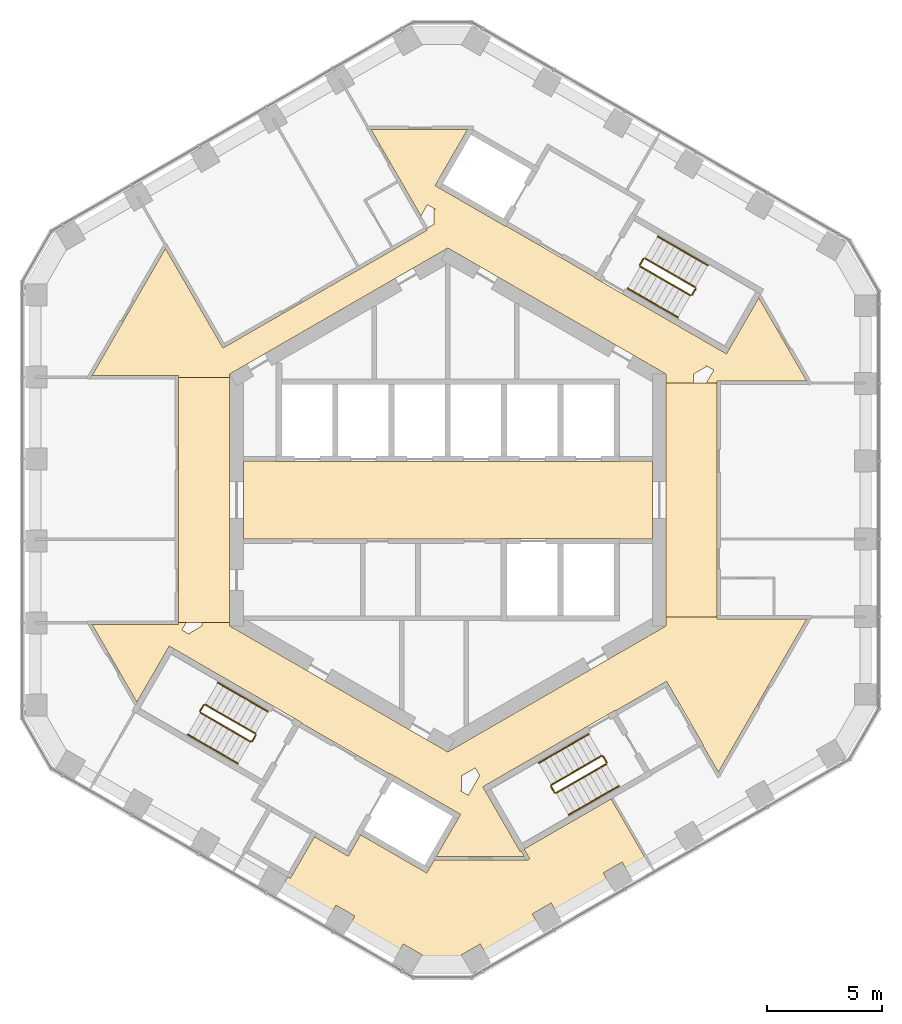
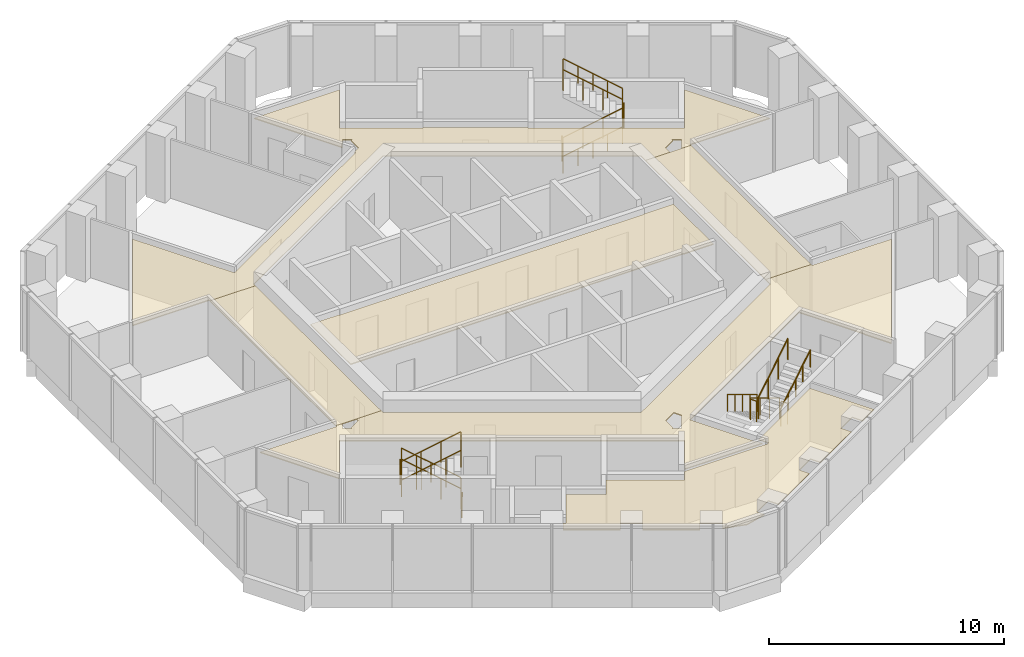
# One storey, part 18 of 18: 24 railings, 6 coverings.
"""IFC4 building model written with IfcOpenShell, lengths in metres."""

from ifc_helpers import new_model, si_unit, direction, frame, origin, origin_2d, place, context, subcontext, project, spatial, polyline, circle, outline, extrude, material, layer, layer_set, type_object, element, save


model = new_model("IFC4")

# Units and contexts
model_context = context("Model", 3, precision=1e-05, world=origin(), true_north=direction((0.0, 1.0)))
body_context = subcontext(model_context, "Body", "Model", "MODEL_VIEW")
ifc_project = project(units=[si_unit("LENGTHUNIT", "METRE"), si_unit("AREAUNIT", "SQUARE_METRE"), si_unit("VOLUMEUNIT", "CUBIC_METRE"), si_unit("PLANEANGLEUNIT", "RADIAN"), si_unit("MASSUNIT", "GRAM", prefix="KILO")], contexts=[model_context])

# Site, building, storey
site_placement = place(None, origin())
site = spatial("IfcSite", under=ifc_project, at=site_placement, CompositionType="ELEMENT")
building_placement = place(site_placement, origin())
building = spatial("IfcBuilding", under=site, at=building_placement, Name="Ayvan Gate Tower", CompositionType="ELEMENT")
storey_placement = place(building_placement, frame((0.0, 0.0, 166.300048828125)))
storey = spatial("IfcBuildingStorey", under=building, at=storey_placement, Name="L44", CompositionType="ELEMENT", Elevation=166.300048828125)

# Coverings
ifc_material_1 = material(Name="Plasterboard suspended ceiling")
ifc_layer = layer(ifc_material_1, 0.050048828125)
ifc_layer_set = layer_set([ifc_layer], Name="Plasterboard suspended ceiling")
covering_type = type_object("IfcCoveringType", Name="CT-SUSP-50", PredefinedType="CEILING", material=ifc_layer_set)
covering_1_placement = place(storey_placement, frame((0.0, 0.0, 2.699951171875)))
element("IfcCovering", 1, at=covering_1_placement, inside=storey, type_object=covering_type, Name="Ceiling Lift Lobby L44", PredefinedType="CEILING", context=body_context, shape_type="SweptSolid", body=[
    extrude(outline(polyline([(7.47509765625, -1.675048828125), (2.324951171875, -1.675048828125), (2.324951171875, -1.699951171875), (-8.89990234375, -1.699951171875), (-8.89990234375, 1.699951171875), (-7.47509765625, 1.699951171875), (-7.47509765625, 1.675048828125), (7.47509765625, 1.675048828125), (7.47509765625, 1.699951171875), (8.89990234375, 1.699951171875), (8.89990234375, -1.699951171875), (7.47509765625, -1.699951171875), (7.47509765625, -1.675048828125)])), origin(), (0.0, 0.0, 1.0), 0.050048828125),
])
covering_2_placement = place(storey_placement, frame((0.0, 0.0, 2.699951171875)))
element("IfcCovering", 2, at=covering_2_placement, inside=storey, type_object=covering_type, Name="Ceiling Gallery L44", PredefinedType="CEILING", context=body_context, shape_type="SweptSolid", body=[
    extrude(outline(polyline([(-11.914794921875, -6.48681640625), (-12.131103515625, -6.36181640625), (-13.5380859375, -8.798828125), (-15.489990234375, -5.41796875), (-11.724853515625, -5.41796875), (-11.724853515625, -5.343017578125), (-11.398681640625, -5.343017578125), (-11.580322265625, -5.65771484375), (-11.2294921875, -5.8603515625), (-11.259765625, -5.80810546875), (-10.699951171875, -5.48486328125), (-10.699951171875, -5.343017578125), (-9.5, -5.343017578125), (-9.5, -5.48486328125), (0.0, -10.9697265625), (8.38720703125, -6.127197265625), (9.5, -5.48486328125), (9.5, -5.09619140625), (11.724853515625, -5.09619140625), (11.724853515625, -5.17138671875), (15.632568359375, -5.17138671875), (11.77734375, -11.848876953125), (11.102294921875, -10.6796875), (11.123779296875, -10.667236328125), (9.623779296875, -8.069091796875), (9.52392578125, -7.89599609375), (7.2939453125, -9.183349609375), (7.281494140625, -9.16162109375), (1.522216796875, -12.48681640625), (1.647216796875, -12.703369140625), (3.147216796875, -15.30126953125), (3.190673828125, -15.2763671875), (3.33349609375, -15.523681640625), (-0.50439453125, -15.523681640625), (0.43115234375, -13.9033203125), (0.55615234375, -13.686767578125), (-2.284423828125, -12.046630859375), (-2.518310546875, -11.91162109375), (-2.53076171875, -11.933349609375), (-6.384521484375, -9.70849609375), (-6.3720703125, -9.686767578125), (-11.91455078125, -6.48681640625), (-11.914794921875, -6.48681640625)]), holes=[polyline([(0.890380859375, -12.85791015625), (1.385498046875, -12.0), (1.193115234375, -11.66650390625), (0.60009765625, -12.0087890625), (0.60009765625, -12.6552734375), (0.53955078125, -12.6552734375), (0.890380859375, -12.85791015625)])]), origin(), (0.0, 0.0, 1.0), 0.050048828125),
])
covering_3_placement = place(storey_placement, frame((0.0, 0.0, 2.699951171875)))
element("IfcCovering", 3, at=covering_3_placement, inside=storey, type_object=covering_type, Name="Ceiling Gallery L44", PredefinedType="CEILING", context=body_context, shape_type="SweptSolid", body=[
    extrude(outline(polyline([(-9.6611328125, 6.69091796875), (-9.6611328125, 6.69091796875), (-0.89892578125, 11.749755859375), (-0.936279296875, 11.814697265625), (-0.60009765625, 12.0087890625), (-0.60009765625, 12.6552734375), (-0.53955078125, 12.6552734375), (-0.890380859375, 12.85791015625), (-1.17138671875, 12.371337890625), (-3.337890625, 16.123779296875), (0.850830078125, 16.123779296875), (-0.55615234375, 13.686767578125), (-0.339599609375, 13.561767578125), (2.518310546875, 11.91162109375), (2.53076171875, 11.933349609375), (6.384521484375, 9.70849609375), (6.3720703125, 9.686767578125), (6.588623046875, 9.561767578125), (12.131103515625, 6.36181640625), (12.24609375, 6.56103515625), (13.5380859375, 8.798828125), (15.632568359375, 5.17138671875), (11.72509765625, 5.17138671875), (11.72509765625, 5.09619140625), (11.256103515625, 5.09619140625), (11.580322265625, 5.65771484375), (11.2294921875, 5.8603515625), (11.259765625, 5.80810546875), (10.699951171875, 5.48486328125), (10.699951171875, 5.09619140625), (9.5, 5.09619140625), (9.5, 5.48486328125), (0.0, 10.9697265625), (-9.16357421875, 5.67919921875), (-9.5, 5.48486328125), (-9.5, 5.343017578125), (-11.72509765625, 5.343017578125), (-11.72509765625, 5.41796875), (-15.489990234375, 5.41796875), (-12.294921875, 10.952392578125), (-9.791015625, 6.615966796875), (-9.6611328125, 6.69091796875)])), origin(), (0.0, 0.0, 1.0), 0.050048828125),
])
covering_4_placement = place(storey_placement, frame((0.0, 0.0, 2.699951171875)))
element("IfcCovering", 4, at=covering_4_placement, inside=storey, type_object=covering_type, Name="Ceiling Lift Lounge Lobby L44", PredefinedType="CEILING", context=body_context, shape_type="SweptSolid", body=[
    extrude(outline(polyline([(11.724853515625, -5.09619140625), (9.5, -5.09619140625), (9.5, 5.09619140625), (11.72509765625, 5.09619140625), (11.72509765625, -5.021240234375), (11.724853515625, -5.021240234375), (11.724853515625, -5.09619140625)])), origin(), (0.0, 0.0, 1.0), 0.050048828125),
])
covering_5_placement = place(storey_placement, frame((0.0, 0.0, 2.699951171875)))
element("IfcCovering", 5, at=covering_5_placement, inside=storey, type_object=covering_type, Name="Ceiling Lift Lounge Lobby L44", PredefinedType="CEILING", context=body_context, shape_type="SweptSolid", body=[
    extrude(outline(polyline([(-11.724853515625, -5.26806640625), (-11.72509765625, 5.343017578125), (-9.5, 5.343017578125), (-9.5, -5.343017578125), (-11.724853515625, -5.343017578125), (-11.724853515625, -5.26806640625)])), origin(), (0.0, 0.0, 1.0), 0.050048828125),
])
covering_6_placement = place(storey_placement, frame((0.0, 0.0, 2.699951171875)))
element("IfcCovering", 6, at=covering_6_placement, inside=storey, type_object=covering_type, Name="Ceiling Shared Kitchen L44", PredefinedType="CEILING", context=body_context, shape_type="SweptSolid", body=[
    extrude(outline(polyline([(-6.858154296875, -16.478515625), (-6.76806640625, -16.32275390625), (-5.80810546875, -14.659912109375), (-4.3359375, -15.510009765625), (-4.245849609375, -15.35400390625), (-4.235595703125, -15.33642578125), (-3.798583984375, -14.5791015625), (-3.775390625, -14.59228515625), (-0.9189453125, -16.24169921875), (-0.803955078125, -16.042236328125), (-0.591064453125, -15.673828125), (3.388427734375, -15.673828125), (3.388427734375, -15.618896484375), (3.435791015625, -15.701416015625), (3.56591796875, -15.626220703125), (3.320556640625, -15.201416015625), (3.346435546875, -15.186279296875), (7.109375, -13.013916015625), (8.67138671875, -15.719482421875), (7.840576171875, -16.19921875), (7.588134765625, -15.76220703125), (6.765380859375, -16.237060546875), (7.017822265625, -16.674072265625), (4.817626953125, -17.9443359375), (4.75, -17.983642578125), (4.49755859375, -17.54638671875), (3.6748046875, -18.021484375), (3.927001953125, -18.45849609375), (1.6591796875, -19.76806640625), (1.40673828125, -19.330810546875), (0.583984375, -19.805908203125), (0.7705078125, -20.12890625), (-0.2373046875, -20.398681640625), (-1.296630859375, -20.114990234375), (-1.1181640625, -19.805908203125), (-1.94091796875, -19.330810546875), (-2.178466796875, -19.7421875), (-2.85791015625, -19.35009765625), (-4.2861328125, -18.525390625), (-4.048583984375, -18.114013671875), (-4.871337890625, -17.638916015625), (-5.10888671875, -18.05029296875), (-7.216796875, -16.83349609375), (-6.973388671875, -16.412109375), (-6.858154296875, -16.478515625)])), origin(), (0.0, 0.0, 1.0), 0.050048828125),
])

# Railings
ifc_material_2 = material(Name="Stainless steel balustrade", Category="steel")
railing_type_1 = type_object("IfcRailingType", Name="RL-GUARD-1100", PredefinedType="GUARDRAIL", material=ifc_material_2)
railing_1_placement = place(storey_placement, frame((8.381103515625, 10.16650390625, 0.169921875)))
element("IfcRailing", 7, at=railing_1_placement, inside=storey, type_object=railing_type_1, Name="L44 STS1 stair guard 1", PredefinedType="GUARDRAIL", context=body_context, shape_type="SweptSolid", body=[
    extrude(circle(Radius=0.02392578125, at=origin_2d()), frame((0.0, 0.0, 1.076171875), z_axis=(0.740261155115, -0.427395438142, 0.518986090067), x_axis=(0.500004791531, 0.866022637375, 0.0)), (0.0, 0.0, 1.0), 2.947998046875),
    extrude(circle(Radius=0.02099609375, at=origin_2d()), origin(), (0.0, 0.0, 1.0), 1.052001953125),
    extrude(circle(Radius=0.02099609375, at=origin_2d()), frame((0.7275390625, -0.419921875, 0.510009765625)), (0.0, 0.0, 1.0), 1.052001953125),
    extrude(circle(Radius=0.02099609375, at=origin_2d()), frame((1.454833984375, -0.840087890625, 1.02001953125)), (0.0, 0.0, 1.0), 1.052001953125),
    extrude(circle(Radius=0.02099609375, at=origin_2d()), frame((2.182373046875, -1.260009765625, 1.530029296875)), (0.0, 0.0, 1.0), 1.052001953125),
])
railing_2_placement = place(storey_placement, frame((10.6318359375, 8.9248046875, 1.699951171875)))
element("IfcRailing", 8, at=railing_2_placement, inside=storey, type_object=railing_type_1, Name="L44 STS1 stair guard 2", PredefinedType="GUARDRAIL", context=body_context, shape_type="SweptSolid", body=[
    extrude(circle(Radius=0.02392578125, at=origin_2d()), frame((0.0, 0.0, 1.076171875), z_axis=(0.499949632511, 0.866054481515, 0.0), x_axis=(-0.866054481515, 0.499949632511, 0.0)), (0.0, 0.0, 1.0), 0.31005859375),
    extrude(circle(Radius=0.02099609375, at=origin_2d()), origin(), (0.0, 0.0, 1.0), 1.052001953125),
    extrude(circle(Radius=0.02099609375, at=origin_2d()), frame((0.155029296875, 0.2685546875, 0.0)), (0.0, 0.0, 1.0), 1.052001953125),
])
railing_3_placement = place(storey_placement, frame((10.7685546875, 9.261474609375, 1.869873046875)))
element("IfcRailing", 9, at=railing_3_placement, inside=storey, type_object=railing_type_1, Name="L44 STS1 stair guard 3", PredefinedType="GUARDRAIL", context=body_context, shape_type="SweptSolid", body=[
    extrude(circle(Radius=0.02392578125, at=origin_2d()), frame((0.0, 0.0, 1.076171875), z_axis=(-0.740261155115, 0.427395438142, 0.518986090067), x_axis=(-0.500004791531, -0.866022637375, 0.0)), (0.0, 0.0, 1.0), 2.947998046875),
    extrude(circle(Radius=0.02099609375, at=origin_2d()), origin(), (0.0, 0.0, 1.0), 1.052001953125),
    extrude(circle(Radius=0.02099609375, at=origin_2d()), frame((-0.7275390625, 0.419921875, 0.510009765625)), (0.0, 0.0, 1.0), 1.052001953125),
    extrude(circle(Radius=0.02099609375, at=origin_2d()), frame((-1.454833984375, 0.840087890625, 1.02001953125)), (0.0, 0.0, 1.0), 1.052001953125),
    extrude(circle(Radius=0.02099609375, at=origin_2d()), frame((-2.182373046875, 1.260009765625, 1.530029296875)), (0.0, 0.0, 1.0), 1.052001953125),
])
railing_4_placement = place(storey_placement, frame((8.36279296875, 10.23486328125, 0.0)))
element("IfcRailing", 10, at=railing_4_placement, inside=storey, type_object=railing_type_1, Name="L44 STS1 stair guard 4", PredefinedType="GUARDRAIL", context=body_context, shape_type="SweptSolid", body=[
    extrude(circle(Radius=0.02392578125, at=origin_2d()), frame((0.0, 0.0, 1.076171875), z_axis=(0.500290723946, 0.86585748916, 0.0), x_axis=(-0.86585748916, 0.500290723946, 0.0)), (0.0, 0.0, 1.0), 0.309814453125),
    extrude(circle(Radius=0.02099609375, at=origin_2d()), origin(), (0.0, 0.0, 1.0), 1.052001953125),
    extrude(circle(Radius=0.02099609375, at=origin_2d()), frame((0.155029296875, 0.268310546875, 0.0)), (0.0, 0.0, 1.0), 1.052001953125),
])
railing_5_placement = place(storey_placement, frame((-8.381103515625, -10.16650390625, 0.169921875)))
element("IfcRailing", 11, at=railing_5_placement, inside=storey, type_object=railing_type_1, Name="L44 STS2 stair guard 1", PredefinedType="GUARDRAIL", context=body_context, shape_type="SweptSolid", body=[
    extrude(circle(Radius=0.02392578125, at=origin_2d()), frame((0.0, 0.0, 1.076171875), z_axis=(-0.740261155115, 0.427395438142, 0.518986090067), x_axis=(-0.500004791531, -0.866022637375, 0.0)), (0.0, 0.0, 1.0), 2.947998046875),
    extrude(circle(Radius=0.02099609375, at=origin_2d()), origin(), (0.0, 0.0, 1.0), 1.052001953125),
    extrude(circle(Radius=0.02099609375, at=origin_2d()), frame((-0.7275390625, 0.419921875, 0.510009765625)), (0.0, 0.0, 1.0), 1.052001953125),
    extrude(circle(Radius=0.02099609375, at=origin_2d()), frame((-1.454833984375, 0.840087890625, 1.02001953125)), (0.0, 0.0, 1.0), 1.052001953125),
    extrude(circle(Radius=0.02099609375, at=origin_2d()), frame((-2.182373046875, 1.260009765625, 1.530029296875)), (0.0, 0.0, 1.0), 1.052001953125),
])
railing_6_placement = place(storey_placement, frame((-10.6318359375, -8.9248046875, 1.699951171875)))
element("IfcRailing", 12, at=railing_6_placement, inside=storey, type_object=railing_type_1, Name="L44 STS2 stair guard 2", PredefinedType="GUARDRAIL", context=body_context, shape_type="SweptSolid", body=[
    extrude(circle(Radius=0.02392578125, at=origin_2d()), frame((0.0, 0.0, 1.076171875), z_axis=(-0.499949632511, -0.866054481515, 0.0), x_axis=(0.866054481515, -0.499949632511, 0.0)), (0.0, 0.0, 1.0), 0.31005859375),
    extrude(circle(Radius=0.02099609375, at=origin_2d()), origin(), (0.0, 0.0, 1.0), 1.052001953125),
    extrude(circle(Radius=0.02099609375, at=origin_2d()), frame((-0.155029296875, -0.2685546875, 0.0)), (0.0, 0.0, 1.0), 1.052001953125),
])
railing_7_placement = place(storey_placement, frame((-10.7685546875, -9.261474609375, 1.869873046875)))
element("IfcRailing", 13, at=railing_7_placement, inside=storey, type_object=railing_type_1, Name="L44 STS2 stair guard 3", PredefinedType="GUARDRAIL", context=body_context, shape_type="SweptSolid", body=[
    extrude(circle(Radius=0.02392578125, at=origin_2d()), frame((0.0, 0.0, 1.076171875), z_axis=(0.740261155115, -0.427395438142, 0.518986090067), x_axis=(0.500004791531, 0.866022637375, 0.0)), (0.0, 0.0, 1.0), 2.947998046875),
    extrude(circle(Radius=0.02099609375, at=origin_2d()), origin(), (0.0, 0.0, 1.0), 1.052001953125),
    extrude(circle(Radius=0.02099609375, at=origin_2d()), frame((0.7275390625, -0.419921875, 0.510009765625)), (0.0, 0.0, 1.0), 1.052001953125),
    extrude(circle(Radius=0.02099609375, at=origin_2d()), frame((1.454833984375, -0.840087890625, 1.02001953125)), (0.0, 0.0, 1.0), 1.052001953125),
    extrude(circle(Radius=0.02099609375, at=origin_2d()), frame((2.182373046875, -1.260009765625, 1.530029296875)), (0.0, 0.0, 1.0), 1.052001953125),
])
railing_8_placement = place(storey_placement, frame((-8.36279296875, -10.23486328125, 0.0)))
element("IfcRailing", 14, at=railing_8_placement, inside=storey, type_object=railing_type_1, Name="L44 STS2 stair guard 4", PredefinedType="GUARDRAIL", context=body_context, shape_type="SweptSolid", body=[
    extrude(circle(Radius=0.02392578125, at=origin_2d()), frame((0.0, 0.0, 1.076171875), z_axis=(-0.500290723946, -0.86585748916, 0.0), x_axis=(0.86585748916, -0.500290723946, 0.0)), (0.0, 0.0, 1.0), 0.309814453125),
    extrude(circle(Radius=0.02099609375, at=origin_2d()), origin(), (0.0, 0.0, 1.0), 1.052001953125),
    extrude(circle(Radius=0.02099609375, at=origin_2d()), frame((-0.155029296875, -0.268310546875, 0.0)), (0.0, 0.0, 1.0), 1.052001953125),
])
railing_9_placement = place(storey_placement, frame((6.6923828125, -11.1416015625, 0.169921875)))
element("IfcRailing", 15, at=railing_9_placement, inside=storey, type_object=railing_type_1, Name="L44 STS3 stair guard 1", PredefinedType="GUARDRAIL", context=body_context, shape_type="SweptSolid", body=[
    extrude(circle(Radius=0.02392578125, at=origin_2d()), frame((0.0, 0.0, 1.076171875), z_axis=(-0.740261155115, -0.427395438142, 0.518986090067), x_axis=(0.500004791531, -0.866022637375, 0.0)), (0.0, 0.0, 1.0), 2.947998046875),
    extrude(circle(Radius=0.02099609375, at=origin_2d()), origin(), (0.0, 0.0, 1.0), 1.052001953125),
    extrude(circle(Radius=0.02099609375, at=origin_2d()), frame((-0.7275390625, -0.419921875, 0.510009765625)), (0.0, 0.0, 1.0), 1.052001953125),
    extrude(circle(Radius=0.02099609375, at=origin_2d()), frame((-1.454833984375, -0.840087890625, 1.02001953125)), (0.0, 0.0, 1.0), 1.052001953125),
    extrude(circle(Radius=0.02099609375, at=origin_2d()), frame((-2.182373046875, -1.260009765625, 1.530029296875)), (0.0, 0.0, 1.0), 1.052001953125),
])
railing_10_placement = place(storey_placement, frame((4.49169921875, -12.4697265625, 1.699951171875)))
element("IfcRailing", 16, at=railing_10_placement, inside=storey, type_object=railing_type_1, Name="L44 STS3 stair guard 2", PredefinedType="GUARDRAIL", context=body_context, shape_type="SweptSolid", body=[
    extrude(circle(Radius=0.02392578125, at=origin_2d()), frame((0.0, 0.0, 1.076171875), z_axis=(0.499949632511, -0.866054481515, 0.0), x_axis=(0.866054481515, 0.499949632511, 0.0)), (0.0, 0.0, 1.0), 0.31005859375),
    extrude(circle(Radius=0.02099609375, at=origin_2d()), origin(), (0.0, 0.0, 1.0), 1.052001953125),
    extrude(circle(Radius=0.02099609375, at=origin_2d()), frame((0.155029296875, -0.2685546875, 0.0)), (0.0, 0.0, 1.0), 1.052001953125),
])
railing_11_placement = place(storey_placement, frame((4.715087890625, -12.756591796875, 1.869873046875)))
element("IfcRailing", 17, at=railing_11_placement, inside=storey, type_object=railing_type_1, Name="L44 STS3 stair guard 3", PredefinedType="GUARDRAIL", context=body_context, shape_type="SweptSolid", body=[
    extrude(circle(Radius=0.02392578125, at=origin_2d()), frame((0.0, 0.0, 1.076171875), z_axis=(0.740261155115, 0.427395438142, 0.518986090067), x_axis=(-0.500004791531, 0.866022637375, 0.0)), (0.0, 0.0, 1.0), 2.947998046875),
    extrude(circle(Radius=0.02099609375, at=origin_2d()), origin(), (0.0, 0.0, 1.0), 1.052001953125),
    extrude(circle(Radius=0.02099609375, at=origin_2d()), frame((0.7275390625, 0.419921875, 0.510009765625)), (0.0, 0.0, 1.0), 1.052001953125),
    extrude(circle(Radius=0.02099609375, at=origin_2d()), frame((1.454833984375, 0.840087890625, 1.02001953125)), (0.0, 0.0, 1.0), 1.052001953125),
    extrude(circle(Radius=0.02099609375, at=origin_2d()), frame((2.182373046875, 1.260009765625, 1.530029296875)), (0.0, 0.0, 1.0), 1.052001953125),
])
railing_12_placement = place(storey_placement, frame((6.7607421875, -11.159912109375, 0.0)))
element("IfcRailing", 18, at=railing_12_placement, inside=storey, type_object=railing_type_1, Name="L44 STS3 stair guard 4", PredefinedType="GUARDRAIL", context=body_context, shape_type="SweptSolid", body=[
    extrude(circle(Radius=0.02392578125, at=origin_2d()), frame((0.0, 0.0, 1.076171875), z_axis=(0.500290723946, -0.86585748916, 0.0), x_axis=(0.86585748916, 0.500290723946, 0.0)), (0.0, 0.0, 1.0), 0.309814453125),
    extrude(circle(Radius=0.02099609375, at=origin_2d()), origin(), (0.0, 0.0, 1.0), 1.052001953125),
    extrude(circle(Radius=0.02099609375, at=origin_2d()), frame((0.155029296875, -0.268310546875, 0.0)), (0.0, 0.0, 1.0), 1.052001953125),
])
railing_type_2 = type_object("IfcRailingType", Name="RL-HANDRAIL-900", PredefinedType="HANDRAIL", material=ifc_material_2)
railing_13_placement = place(storey_placement, frame((7.8310546875, 9.2138671875, 0.169921875)))
element("IfcRailing", 19, at=railing_13_placement, inside=storey, type_object=railing_type_2, Name="L44 STS1 stair handrail 1", PredefinedType="HANDRAIL", context=body_context, shape_type="SweptSolid", body=[
    extrude(circle(Radius=0.02392578125, at=origin_2d()), frame((0.0, 0.0, 0.8759765625), z_axis=(0.740292964666, -0.42728318766, 0.519033143459), x_axis=(0.499890179513, 0.866088799389, 0.0)), (0.0, 0.0, 1.0), 1.47412109375),
    extrude(circle(Radius=0.02099609375, at=origin_2d()), origin(), (0.0, 0.0, 1.0), 0.851806640625),
    extrude(circle(Radius=0.02099609375, at=origin_2d()), frame((0.545654296875, -0.31494140625, 0.382568359375)), (0.0, 0.0, 1.0), 0.851806640625),
    extrude(circle(Radius=0.02099609375, at=origin_2d()), frame((1.09130859375, -0.6298828125, 0.76513671875)), (0.0, 0.0, 1.0), 0.851806640625),
])
railing_14_placement = place(storey_placement, frame((8.92236328125, 8.583984375, 0.93505859375)))
element("IfcRailing", 20, at=railing_14_placement, inside=storey, type_object=railing_type_2, Name="L44 STS1 stair handrail 2", PredefinedType="HANDRAIL", context=body_context, shape_type="SweptSolid", body=[
    extrude(circle(Radius=0.02392578125, at=origin_2d()), frame((0.0, 0.0, 0.8759765625), z_axis=(0.740229329464, -0.427507697325, 0.518939021976), x_axis=(0.50011940292, 0.865956455501, 0.0)), (0.0, 0.0, 1.0), 1.473876953125),
    extrude(circle(Radius=0.02099609375, at=origin_2d()), origin(), (0.0, 0.0, 1.0), 0.851806640625),
    extrude(circle(Radius=0.02099609375, at=origin_2d()), frame((0.54541015625, -0.31494140625, 0.38232421875)), (0.0, 0.0, 1.0), 0.851806640625),
    extrude(circle(Radius=0.02099609375, at=origin_2d()), frame((1.091064453125, -0.630126953125, 0.764892578125)), (0.0, 0.0, 1.0), 0.851806640625),
])
railing_15_placement = place(storey_placement, frame((11.318603515625, 10.214111328125, 1.869873046875)))
element("IfcRailing", 21, at=railing_15_placement, inside=storey, type_object=railing_type_2, Name="L44 STS1 stair handrail 3", PredefinedType="HANDRAIL", context=body_context, shape_type="SweptSolid", body=[
    extrude(circle(Radius=0.02392578125, at=origin_2d()), frame((0.0, 0.0, 0.8759765625), z_axis=(-0.740240574041, 0.427418550694, 0.518996411419), x_axis=(-0.500035496587, -0.86600490885, 0.0)), (0.0, 0.0, 1.0), 1.474365234375),
    extrude(circle(Radius=0.02099609375, at=origin_2d()), origin(), (0.0, 0.0, 1.0), 0.851806640625),
    extrude(circle(Radius=0.02099609375, at=origin_2d()), frame((-0.545654296875, 0.31494140625, 0.382568359375)), (0.0, 0.0, 1.0), 0.851806640625),
    extrude(circle(Radius=0.02099609375, at=origin_2d()), frame((-1.09130859375, 0.630126953125, 0.76513671875)), (0.0, 0.0, 1.0), 0.851806640625),
])
railing_16_placement = place(storey_placement, frame((10.227294921875, 10.84423828125, 2.635009765625)))
element("IfcRailing", 22, at=railing_16_placement, inside=storey, type_object=railing_type_2, Name="L44 STS1 stair handrail 4", PredefinedType="HANDRAIL", context=body_context, shape_type="SweptSolid", body=[
    extrude(circle(Radius=0.02392578125, at=origin_2d()), frame((0.0, 0.0, 0.8759765625), z_axis=(-0.740356597536, 0.427319915356, 0.518912129772), x_axis=(-0.499890179513, -0.866088799389, 0.0)), (0.0, 0.0, 1.0), 1.47412109375),
    extrude(circle(Radius=0.02099609375, at=origin_2d()), origin(), (0.0, 0.0, 1.0), 0.851806640625),
    extrude(circle(Radius=0.02099609375, at=origin_2d()), frame((-0.545654296875, 0.31494140625, 0.38232421875)), (0.0, 0.0, 1.0), 0.851806640625),
    extrude(circle(Radius=0.02099609375, at=origin_2d()), frame((-1.09130859375, 0.6298828125, 0.764892578125)), (0.0, 0.0, 1.0), 0.851806640625),
])
railing_17_placement = place(storey_placement, frame((-7.8310546875, -9.2138671875, 0.169921875)))
element("IfcRailing", 23, at=railing_17_placement, inside=storey, type_object=railing_type_2, Name="L44 STS2 stair handrail 1", PredefinedType="HANDRAIL", context=body_context, shape_type="SweptSolid", body=[
    extrude(circle(Radius=0.02392578125, at=origin_2d()), frame((0.0, 0.0, 0.8759765625), z_axis=(-0.740292964666, 0.42728318766, 0.519033143459), x_axis=(-0.499890179513, -0.866088799389, 0.0)), (0.0, 0.0, 1.0), 1.47412109375),
    extrude(circle(Radius=0.02099609375, at=origin_2d()), origin(), (0.0, 0.0, 1.0), 0.851806640625),
    extrude(circle(Radius=0.02099609375, at=origin_2d()), frame((-0.545654296875, 0.31494140625, 0.382568359375)), (0.0, 0.0, 1.0), 0.851806640625),
    extrude(circle(Radius=0.02099609375, at=origin_2d()), frame((-1.09130859375, 0.6298828125, 0.76513671875)), (0.0, 0.0, 1.0), 0.851806640625),
])
railing_18_placement = place(storey_placement, frame((-8.92236328125, -8.583984375, 0.93505859375)))
element("IfcRailing", 24, at=railing_18_placement, inside=storey, type_object=railing_type_2, Name="L44 STS2 stair handrail 2", PredefinedType="HANDRAIL", context=body_context, shape_type="SweptSolid", body=[
    extrude(circle(Radius=0.02392578125, at=origin_2d()), frame((0.0, 0.0, 0.8759765625), z_axis=(-0.740229329464, 0.427507697325, 0.518939021976), x_axis=(-0.50011940292, -0.865956455501, 0.0)), (0.0, 0.0, 1.0), 1.473876953125),
    extrude(circle(Radius=0.02099609375, at=origin_2d()), origin(), (0.0, 0.0, 1.0), 0.851806640625),
    extrude(circle(Radius=0.02099609375, at=origin_2d()), frame((-0.54541015625, 0.31494140625, 0.38232421875)), (0.0, 0.0, 1.0), 0.851806640625),
    extrude(circle(Radius=0.02099609375, at=origin_2d()), frame((-1.091064453125, 0.630126953125, 0.764892578125)), (0.0, 0.0, 1.0), 0.851806640625),
])
railing_19_placement = place(storey_placement, frame((-11.318603515625, -10.214111328125, 1.869873046875)))
element("IfcRailing", 25, at=railing_19_placement, inside=storey, type_object=railing_type_2, Name="L44 STS2 stair handrail 3", PredefinedType="HANDRAIL", context=body_context, shape_type="SweptSolid", body=[
    extrude(circle(Radius=0.02392578125, at=origin_2d()), frame((0.0, 0.0, 0.8759765625), z_axis=(0.740240574041, -0.427418550694, 0.518996411419), x_axis=(0.500035496587, 0.86600490885, 0.0)), (0.0, 0.0, 1.0), 1.474365234375),
    extrude(circle(Radius=0.02099609375, at=origin_2d()), origin(), (0.0, 0.0, 1.0), 0.851806640625),
    extrude(circle(Radius=0.02099609375, at=origin_2d()), frame((0.545654296875, -0.31494140625, 0.382568359375)), (0.0, 0.0, 1.0), 0.851806640625),
    extrude(circle(Radius=0.02099609375, at=origin_2d()), frame((1.09130859375, -0.630126953125, 0.76513671875)), (0.0, 0.0, 1.0), 0.851806640625),
])
railing_20_placement = place(storey_placement, frame((-10.227294921875, -10.84423828125, 2.635009765625)))
element("IfcRailing", 26, at=railing_20_placement, inside=storey, type_object=railing_type_2, Name="L44 STS2 stair handrail 4", PredefinedType="HANDRAIL", context=body_context, shape_type="SweptSolid", body=[
    extrude(circle(Radius=0.02392578125, at=origin_2d()), frame((0.0, 0.0, 0.8759765625), z_axis=(0.740356597536, -0.427319915356, 0.518912129772), x_axis=(0.499890179513, 0.866088799389, 0.0)), (0.0, 0.0, 1.0), 1.47412109375),
    extrude(circle(Radius=0.02099609375, at=origin_2d()), origin(), (0.0, 0.0, 1.0), 0.851806640625),
    extrude(circle(Radius=0.02099609375, at=origin_2d()), frame((0.545654296875, -0.31494140625, 0.38232421875)), (0.0, 0.0, 1.0), 0.851806640625),
    extrude(circle(Radius=0.02099609375, at=origin_2d()), frame((1.09130859375, -0.6298828125, 0.764892578125)), (0.0, 0.0, 1.0), 0.851806640625),
])
railing_21_placement = place(storey_placement, frame((6.142333984375, -10.18896484375, 0.169921875)))
element("IfcRailing", 27, at=railing_21_placement, inside=storey, type_object=railing_type_2, Name="L44 STS3 stair handrail 1", PredefinedType="HANDRAIL", context=body_context, shape_type="SweptSolid", body=[
    extrude(circle(Radius=0.02392578125, at=origin_2d()), frame((0.0, 0.0, 0.8759765625), z_axis=(-0.740218099111, -0.427335577468, 0.519096782863), x_axis=(0.499974077718, -0.866040369504, 0.0)), (0.0, 0.0, 1.0), 1.473876953125),
    extrude(circle(Radius=0.02099609375, at=origin_2d()), origin(), (0.0, 0.0, 1.0), 0.851806640625),
    extrude(circle(Radius=0.02099609375, at=origin_2d()), frame((-0.54541015625, -0.31494140625, 0.382568359375)), (0.0, 0.0, 1.0), 0.851806640625),
    extrude(circle(Radius=0.02099609375, at=origin_2d()), frame((-1.091064453125, -0.6298828125, 0.76513671875)), (0.0, 0.0, 1.0), 0.851806640625),
])
railing_22_placement = place(storey_placement, frame((5.05126953125, -10.81884765625, 0.93505859375)))
element("IfcRailing", 28, at=railing_22_placement, inside=storey, type_object=railing_type_2, Name="L44 STS3 stair handrail 2", PredefinedType="HANDRAIL", context=body_context, shape_type="SweptSolid", body=[
    extrude(circle(Radius=0.02392578125, at=origin_2d()), frame((0.0, 0.0, 0.8759765625), z_axis=(-0.740304193401, -0.427455284825, 0.518875399983), x_axis=(0.500035496587, -0.86600490885, 0.0)), (0.0, 0.0, 1.0), 1.47412109375),
    extrude(circle(Radius=0.02099609375, at=origin_2d()), origin(), (0.0, 0.0, 1.0), 0.851806640625),
    extrude(circle(Radius=0.02099609375, at=origin_2d()), frame((-0.545654296875, -0.31494140625, 0.38232421875)), (0.0, 0.0, 1.0), 0.851806640625),
    extrude(circle(Radius=0.02099609375, at=origin_2d()), frame((-1.09130859375, -0.630126953125, 0.764892578125)), (0.0, 0.0, 1.0), 0.851806640625),
])
railing_23_placement = place(storey_placement, frame((5.264892578125, -13.709228515625, 1.869873046875)))
element("IfcRailing", 29, at=railing_23_placement, inside=storey, type_object=railing_type_2, Name="L44 STS3 stair handrail 3", PredefinedType="HANDRAIL", context=body_context, shape_type="SweptSolid", body=[
    extrude(circle(Radius=0.02392578125, at=origin_2d()), frame((0.0, 0.0, 0.8759765625), z_axis=(0.740240574041, 0.427418550694, 0.518996411419), x_axis=(-0.500035496587, 0.86600490885, 0.0)), (0.0, 0.0, 1.0), 1.474365234375),
    extrude(circle(Radius=0.02099609375, at=origin_2d()), origin(), (0.0, 0.0, 1.0), 0.851806640625),
    extrude(circle(Radius=0.02099609375, at=origin_2d()), frame((0.545654296875, 0.31494140625, 0.382568359375)), (0.0, 0.0, 1.0), 0.851806640625),
    extrude(circle(Radius=0.02099609375, at=origin_2d()), frame((1.09130859375, 0.630126953125, 0.76513671875)), (0.0, 0.0, 1.0), 0.851806640625),
])
railing_24_placement = place(storey_placement, frame((6.356201171875, -13.0791015625, 2.635009765625)))
element("IfcRailing", 30, at=railing_24_placement, inside=storey, type_object=railing_type_2, Name="L44 STS3 stair handrail 4", PredefinedType="HANDRAIL", context=body_context, shape_type="SweptSolid", body=[
    extrude(circle(Radius=0.02392578125, at=origin_2d()), frame((0.0, 0.0, 0.8759765625), z_axis=(0.740281741151, 0.427372318678, 0.518975765278), x_axis=(-0.499974077718, 0.866040369504, 0.0)), (0.0, 0.0, 1.0), 1.473876953125),
    extrude(circle(Radius=0.02099609375, at=origin_2d()), origin(), (0.0, 0.0, 1.0), 0.851806640625),
    extrude(circle(Radius=0.02099609375, at=origin_2d()), frame((0.54541015625, 0.31494140625, 0.38232421875)), (0.0, 0.0, 1.0), 0.851806640625),
    extrude(circle(Radius=0.02099609375, at=origin_2d()), frame((1.091064453125, 0.6298828125, 0.764892578125)), (0.0, 0.0, 1.0), 0.851806640625),
])

save(model, "model.ifc")
